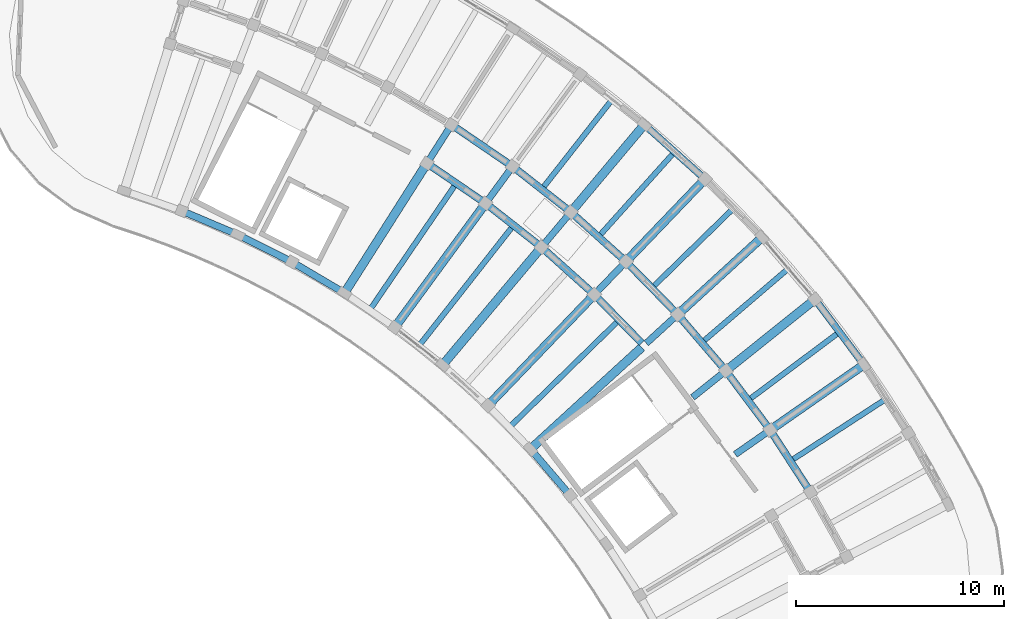
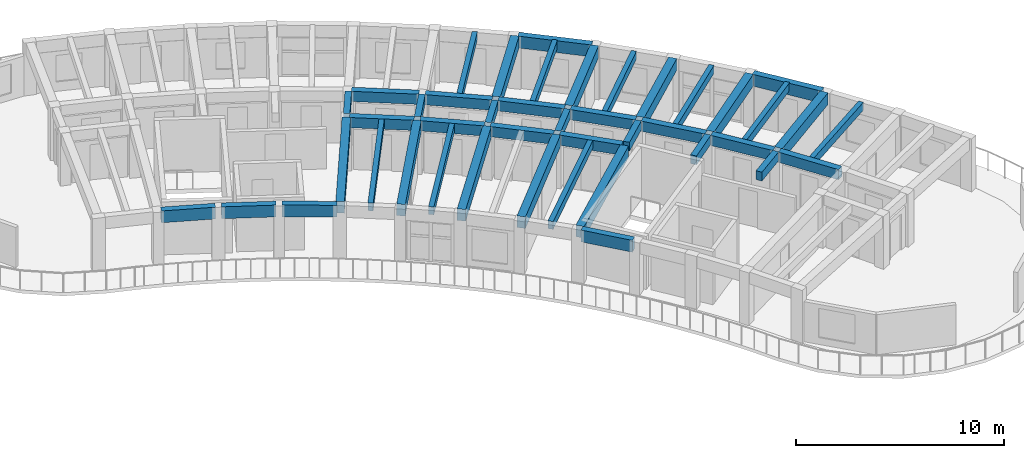
# One storey, part 10 of 32: 43 beams.
"""IFC4 building model written with IfcOpenShell, lengths in metres."""

from ifc_helpers import new_model, si_unit, direction, frame, origin, origin_2d, place, context, subcontext, project, spatial, rectangle, extrude, material, material_profile, profile_set, type_object, element, save


model = new_model("IFC4")

# Units and contexts
model_context = context("Model", 3, precision=1e-05, world=origin(), true_north=direction((0.0, 1.0)))
body_context = subcontext(model_context, "Body", "Model", "MODEL_VIEW")
ifc_project = project(units=[si_unit("LENGTHUNIT", "METRE"), si_unit("AREAUNIT", "SQUARE_METRE"), si_unit("VOLUMEUNIT", "CUBIC_METRE"), si_unit("PLANEANGLEUNIT", "RADIAN"), si_unit("MASSUNIT", "GRAM", prefix="KILO")], contexts=[model_context])

# Site, building, storey
site_placement = place(None, origin())
site = spatial("IfcSite", under=ifc_project, at=site_placement, CompositionType="ELEMENT")
building_placement = place(site_placement, origin())
building = spatial("IfcBuilding", under=site, at=building_placement, Name="Tanwirah Colonnade Gardens", CompositionType="ELEMENT")
storey_placement = place(building_placement, frame((0.0, 0.0, 42.43994140625)))
storey = spatial("IfcBuildingStorey", under=building, at=storey_placement, Name="L12", CompositionType="ELEMENT", Elevation=42.43994140625)

# Beams
ifc_material_1 = material(Name="Precast concrete C40/50", Category="concrete")
ifc_material_profile_1 = material_profile(ifc_material_1, rectangle(XDim=0.320068359375, YDim=0.52001953125, at=origin_2d()), Name="PC-BM 320x520")
ifc_profile_set_1 = profile_set([ifc_material_profile_1], Name="Precast concrete C40/50")
beam_type_1 = type_object("IfcBeamType", Name="BM-PC320", PredefinedType="BEAM", material=ifc_profile_set_1)
for number, where, z_axis, x_axis, name in (
    (1, (163.653564453125, 89.943359375, 2.840087890625), (0.820305001782, 0.571926309983, 0.0), (-0.571926309983, 0.820305001782, 0.0), "Block B L12 Corridor Tie Beam 5"),
    (2, (161.601318359375, 92.68896484375, 2.840087890625), (0.78073089418, 0.624867402633, 0.0), (-0.624867402633, 0.78073089418, 0.0), "Block B L12 Corridor Tie Beam 6"),
    (3, (159.37255859375, 95.29345703125, 2.840087890625), (0.737948361517, 0.674857181732, 0.0), (-0.674857181732, 0.737948361517, 0.0), "Block B L12 Corridor Tie Beam 7"),
):
    element("IfcBeam", number, at=place(storey_placement, frame(where, z_axis=z_axis, x_axis=x_axis)), inside=storey, type_object=beam_type_1, Name=name, PredefinedType="BEAM", context=body_context, shape_type="SweptSolid", body=[
        extrude(rectangle(XDim=0.320068359375, YDim=0.52001953125, at=origin_2d()), origin(), (0.0, 0.0, 1.0), 1.89990234375),
    ])
beam_1_placement = place(storey_placement, frame((156.976806640625, 97.74560546875, 2.840087890625), z_axis=(0.691913735329, 0.721980181766, 0.0), x_axis=(-0.721980181766, 0.691913735329, 0.0)))
element("IfcBeam", 4, at=beam_1_placement, inside=storey, type_object=beam_type_1, Name="Block B L12 Corridor Tie Beam 8", PredefinedType="BEAM", context=body_context, shape_type="SweptSolid", body=[
    extrude(rectangle(XDim=0.320068359375, YDim=0.52001953125, at=origin_2d()), origin(), (0.0, 0.0, 1.0), 1.900146484375),
])
beam_2_placement = place(storey_placement, frame((154.425048828125, 100.034423828125, 2.840087890625), z_axis=(0.642797194343, 0.766036400535, 0.0), x_axis=(-0.766036400535, 0.642797194343, 0.0)))
element("IfcBeam", 5, at=beam_2_placement, inside=storey, type_object=beam_type_1, Name="Block B L12 Corridor Tie Beam 9", PredefinedType="BEAM", context=body_context, shape_type="SweptSolid", body=[
    extrude(rectangle(XDim=0.320068359375, YDim=0.52001953125, at=origin_2d()), origin(), (0.0, 0.0, 1.0), 1.89990234375),
])
beam_3_placement = place(storey_placement, frame((151.727783203125, 102.14990234375, 2.840087890625), z_axis=(0.590895676149, 0.806747977939, 0.0), x_axis=(-0.806747977939, 0.590895676149, 0.0)))
element("IfcBeam", 6, at=beam_3_placement, inside=storey, type_object=beam_type_1, Name="Block B L12 Corridor Tie Beam 10", PredefinedType="BEAM", context=body_context, shape_type="SweptSolid", body=[
    extrude(rectangle(XDim=0.320068359375, YDim=0.52001953125, at=origin_2d()), origin(), (0.0, 0.0, 1.0), 1.900146484375),
])
beam_4_placement = place(storey_placement, frame((148.89697265625, 104.08349609375, 2.840087890625), z_axis=(0.536509579595, 0.843894229749, 0.0), x_axis=(-0.843894229749, 0.536509579595, 0.0)))
element("IfcBeam", 7, at=beam_4_placement, inside=storey, type_object=beam_type_1, Name="Block B L12 Corridor Tie Beam 11", PredefinedType="BEAM", context=body_context, shape_type="SweptSolid", body=[
    extrude(rectangle(XDim=0.320068359375, YDim=0.52001953125, at=origin_2d()), origin(), (0.0, 0.0, 1.0), 1.89990234375),
])
ifc_material_profile_2 = material_profile(ifc_material_1, rectangle(XDim=0.35009765625, YDim=0.60009765625, at=origin_2d()), Name="PC-BM 350x600")
ifc_profile_set_2 = profile_set([ifc_material_profile_2], Name="Precast concrete C40/50")
beam_type_2 = type_object("IfcBeamType", Name="BM-PC350B", PredefinedType="BEAM", material=ifc_profile_set_2)
for number, where, z_axis, x_axis, name in (
    (8, (167.194091796875, 88.25341796875, 2.800048828125), (-0.544627998385, 0.838677735114, 0.0), (-0.838677735114, -0.544627998385, 0.0), "Block B L12 Circumferential Beam 4-R2"),
    (9, (165.245361328125, 91.236083984375, 2.800048828125), (-0.59871829396, 0.800959677186, 0.0), (-0.800959677186, -0.59871829396, 0.0), "Block B L12 Circumferential Beam 5-R2"),
):
    element("IfcBeam", number, at=place(storey_placement, frame(where, z_axis=z_axis, x_axis=x_axis)), inside=storey, type_object=beam_type_2, Name=name, PredefinedType="BEAM", context=body_context, shape_type="SweptSolid", body=[
        extrude(rectangle(XDim=0.35009765625, YDim=0.60009765625, at=origin_2d()), origin(), (0.0, 0.0, 1.0), 3.262939453125),
    ])
beam_5_placement = place(storey_placement, frame((163.1044921875, 94.083740234375, 2.800048828125), z_axis=(-0.650218192342, 0.759747525398, 0.0), x_axis=(-0.759747525398, -0.650218192342, 0.0)))
element("IfcBeam", 10, at=beam_5_placement, inside=storey, type_object=beam_type_2, Name="Block B L12 Circumferential Beam 6-R2", PredefinedType="BEAM", context=body_context, shape_type="SweptSolid", body=[
    extrude(rectangle(XDim=0.35009765625, YDim=0.60009765625, at=origin_2d()), origin(), (0.0, 0.0, 1.0), 3.26318359375),
])
beam_6_placement = place(storey_placement, frame((159.156982421875, 95.299560546875, 2.800048828125), z_axis=(-0.698837366631, 0.715280598787, 0.0), x_axis=(-0.715280598787, -0.698837366631, 0.0)))
element("IfcBeam", 11, at=beam_6_placement, inside=storey, type_object=beam_type_2, Name="Block B L12 Circumferential Beam 7-R1", PredefinedType="BEAM", context=body_context, shape_type="SweptSolid", body=[
    extrude(rectangle(XDim=0.35009765625, YDim=0.60009765625, at=origin_2d()), origin(), (0.0, 0.0, 1.0), 3.117919921875),
])
beam_7_placement = place(storey_placement, frame((160.780517578125, 96.7841796875, 2.800048828125), z_axis=(-0.698829447339, 0.71528833594, 0.0), x_axis=(-0.71528833594, -0.698829447339, 0.0)))
element("IfcBeam", 12, at=beam_7_placement, inside=storey, type_object=beam_type_2, Name="Block B L12 Circumferential Beam 7-R2", PredefinedType="BEAM", context=body_context, shape_type="SweptSolid", body=[
    extrude(rectangle(XDim=0.35009765625, YDim=0.60009765625, at=origin_2d()), origin(), (0.0, 0.0, 1.0), 3.263427734375),
])
beam_8_placement = place(storey_placement, frame((156.761474609375, 97.7373046875, 2.800048828125), z_axis=(-0.744429866059, 0.667700662363, 0.0), x_axis=(-0.667700662363, -0.744429866059, 0.0)))
element("IfcBeam", 13, at=beam_8_placement, inside=storey, type_object=beam_type_2, Name="Block B L12 Circumferential Beam 8-R1", PredefinedType="BEAM", context=body_context, shape_type="SweptSolid", body=[
    extrude(rectangle(XDim=0.35009765625, YDim=0.60009765625, at=origin_2d()), origin(), (0.0, 0.0, 1.0), 3.1181640625),
])
beam_9_placement = place(storey_placement, frame((158.283447265625, 99.32568359375, 2.800048828125), z_axis=(-0.744409136578, 0.667723773262, 0.0), x_axis=(-0.667723773262, -0.744409136578, 0.0)))
element("IfcBeam", 14, at=beam_9_placement, inside=storey, type_object=beam_type_2, Name="Block B L12 Circumferential Beam 8-R2", PredefinedType="BEAM", context=body_context, shape_type="SweptSolid", body=[
    extrude(rectangle(XDim=0.35009765625, YDim=0.60009765625, at=origin_2d()), origin(), (0.0, 0.0, 1.0), 3.26318359375),
])
beam_10_placement = place(storey_placement, frame((154.21044921875, 100.011962890625, 2.800048828125), z_axis=(-0.78679899272, 0.617209320292, 0.0), x_axis=(-0.617209320292, -0.78679899272, 0.0)))
element("IfcBeam", 15, at=beam_10_placement, inside=storey, type_object=beam_type_2, Name="Block B L12 Circumferential Beam 9-R1", PredefinedType="BEAM", context=body_context, shape_type="SweptSolid", body=[
    extrude(rectangle(XDim=0.35009765625, YDim=0.60009765625, at=origin_2d()), origin(), (0.0, 0.0, 1.0), 3.1181640625),
])
beam_11_placement = place(storey_placement, frame((155.624755859375, 101.697265625, 2.800048828125), z_axis=(-0.786839882256, 0.617157192044, 0.0), x_axis=(-0.617157192044, -0.786839882256, 0.0)))
element("IfcBeam", 16, at=beam_11_placement, inside=storey, type_object=beam_type_2, Name="Block B L12 Circumferential Beam 9-R2", PredefinedType="BEAM", context=body_context, shape_type="SweptSolid", body=[
    extrude(rectangle(XDim=0.35009765625, YDim=0.60009765625, at=origin_2d()), origin(), (0.0, 0.0, 1.0), 3.26318359375),
])
beam_12_placement = place(storey_placement, frame((151.515380859375, 102.113525390625, 2.800048828125), z_axis=(-0.825758291455, 0.564024152047, 0.0), x_axis=(-0.564024152047, -0.825758291455, 0.0)))
element("IfcBeam", 17, at=beam_12_placement, inside=storey, type_object=beam_type_2, Name="Block B L12 Circumferential Beam 10-R1", PredefinedType="BEAM", context=body_context, shape_type="SweptSolid", body=[
    extrude(rectangle(XDim=0.35009765625, YDim=0.60009765625, at=origin_2d()), origin(), (0.0, 0.0, 1.0), 3.118408203125),
])
beam_13_placement = place(storey_placement, frame((152.815185546875, 103.888427734375, 2.800048828125), z_axis=(-0.825782284145, 0.563989024, 0.0), x_axis=(-0.563989024, -0.825782284145, 0.0)))
element("IfcBeam", 18, at=beam_13_placement, inside=storey, type_object=beam_type_2, Name="Block B L12 Circumferential Beam 10-R2", PredefinedType="BEAM", context=body_context, shape_type="SweptSolid", body=[
    extrude(rectangle(XDim=0.35009765625, YDim=0.60009765625, at=origin_2d()), origin(), (0.0, 0.0, 1.0), 3.26318359375),
])
ifc_material_2 = material(Name="Precast concrete C45/55", Category="concrete")
ifc_material_profile_3 = material_profile(ifc_material_2, rectangle(XDim=0.419921875, YDim=0.679931640625, at=origin_2d()), Name="PC-BM 420x680")
ifc_profile_set_3 = profile_set([ifc_material_profile_3], Name="Precast concrete C45/55")
beam_type_3 = type_object("IfcBeamType", Name="BM-PC420", PredefinedType="BEAM", material=ifc_profile_set_3)
for number, where, z_axis, x_axis, name in (
    (19, (165.458251953125, 91.20166015625, 2.760009765625), (0.82026065953, 0.57198990413, 0.0), (-0.57198990413, 0.82026065953, 0.0), "Block B L12 Outer Radial Precast Girder 5"),
    (20, (163.319091796875, 94.0634765625, 2.760009765625), (0.780777191444, 0.62480955284, 0.0), (-0.62480955284, 0.780777191444, 0.0), "Block B L12 Outer Radial Precast Girder 6"),
):
    element("IfcBeam", number, at=place(storey_placement, frame(where, z_axis=z_axis, x_axis=x_axis)), inside=storey, type_object=beam_type_3, Name=name, PredefinedType="BEAM", context=body_context, shape_type="SweptSolid", body=[
        extrude(rectangle(XDim=0.419921875, YDim=0.679931640625, at=origin_2d()), origin(), (0.0, 0.0, 1.0), 5.199951171875),
    ])
beam_14_placement = place(storey_placement, frame((159.151123046875, 95.091064453125, 2.760009765625), z_axis=(-0.737918718777, -0.674889594288, 0.0), x_axis=(0.674889594288, -0.737918718777, 0.0)))
element("IfcBeam", 21, at=beam_14_placement, inside=storey, type_object=beam_type_3, Name="Block B L12 Inner Radial Precast Girder 7", PredefinedType="BEAM", context=body_context, shape_type="SweptSolid", body=[
    extrude(rectangle(XDim=0.419921875, YDim=0.679931640625, at=origin_2d()), origin(), (0.0, 0.0, 1.0), 7.10009765625),
])
beam_15_placement = place(storey_placement, frame((160.995849609375, 96.7783203125, 2.760009765625), z_axis=(0.737952652624, 0.674852489427, 0.0), x_axis=(-0.674852489427, 0.737952652624, 0.0)))
element("IfcBeam", 22, at=beam_15_placement, inside=storey, type_object=beam_type_3, Name="Block B L12 Outer Radial Precast Girder 7", PredefinedType="BEAM", context=body_context, shape_type="SweptSolid", body=[
    extrude(rectangle(XDim=0.419921875, YDim=0.679931640625, at=origin_2d()), origin(), (0.0, 0.0, 1.0), 5.199951171875),
])
beam_16_placement = place(storey_placement, frame((156.769287109375, 97.52880859375, 2.760009765625), z_axis=(-0.691867272012, -0.722024707278, 0.0), x_axis=(0.722024707278, -0.691867272012, 0.0)))
element("IfcBeam", 23, at=beam_16_placement, inside=storey, type_object=beam_type_3, Name="Block B L12 Inner Radial Precast Girder 8", PredefinedType="BEAM", context=body_context, shape_type="SweptSolid", body=[
    extrude(rectangle(XDim=0.419921875, YDim=0.679931640625, at=origin_2d()), origin(), (0.0, 0.0, 1.0), 7.099853515625),
])
beam_17_placement = place(storey_placement, frame((158.4990234375, 99.333984375, 2.760009765625), z_axis=(0.69185131599, 0.722039996512, 0.0), x_axis=(-0.722039996512, 0.69185131599, 0.0)))
element("IfcBeam", 24, at=beam_17_placement, inside=storey, type_object=beam_type_3, Name="Block B L12 Outer Radial Precast Girder 8", PredefinedType="BEAM", context=body_context, shape_type="SweptSolid", body=[
    extrude(rectangle(XDim=0.419921875, YDim=0.679931640625, at=origin_2d()), origin(), (0.0, 0.0, 1.0), 5.199951171875),
])
beam_18_placement = place(storey_placement, frame((154.232177734375, 99.804443359375, 2.760009765625), z_axis=(-0.642798473853, -0.76603532687, 0.0), x_axis=(0.76603532687, -0.642798473853, 0.0)))
element("IfcBeam", 25, at=beam_18_placement, inside=storey, type_object=beam_type_3, Name="Block B L12 Inner Radial Precast Girder 9", PredefinedType="BEAM", context=body_context, shape_type="SweptSolid", body=[
    extrude(rectangle(XDim=0.419921875, YDim=0.679931640625, at=origin_2d()), origin(), (0.0, 0.0, 1.0), 7.10009765625),
])
beam_19_placement = place(storey_placement, frame((155.839111328125, 101.7197265625, 2.760009765625), z_axis=(0.642794509039, 0.766038653822, 0.0), x_axis=(-0.766038653822, 0.642794509039, 0.0)))
element("IfcBeam", 26, at=beam_19_placement, inside=storey, type_object=beam_type_3, Name="Block B L12 Outer Radial Precast Girder 9", PredefinedType="BEAM", context=body_context, shape_type="SweptSolid", body=[
    extrude(rectangle(XDim=0.419921875, YDim=0.679931640625, at=origin_2d()), origin(), (0.0, 0.0, 1.0), 5.199951171875),
])
for number, where, z_axis, x_axis, name in (
    (27, (151.550537109375, 101.907958984375, 2.760009765625), (-0.590922322036, -0.80672846071, 0.0), (0.80672846071, -0.590922322036, 0.0), "Block B L12 Inner Radial Precast Girder 10"),
    (28, (148.736083984375, 103.830322265625, 2.760009765625), (-0.536477171385, -0.843914832541, 0.0), (0.843914832541, -0.536477171385, 0.0), "Block B L12 Inner Radial Precast Girder 11"),
):
    element("IfcBeam", number, at=place(storey_placement, frame(where, z_axis=z_axis, x_axis=x_axis)), inside=storey, type_object=beam_type_3, Name=name, PredefinedType="BEAM", context=body_context, shape_type="SweptSolid", body=[
        extrude(rectangle(XDim=0.419921875, YDim=0.679931640625, at=origin_2d()), origin(), (0.0, 0.0, 1.0), 7.10009765625),
    ])
ifc_material_profile_4 = material_profile(ifc_material_1, rectangle(XDim=0.260009765625, YDim=0.4599609375, at=origin_2d()), Name="PC-JST 260x460")
ifc_profile_set_4 = profile_set([ifc_material_profile_4], Name="Precast concrete C40/50")
beam_type_4 = type_object("IfcBeamType", Name="JST-PC260", PredefinedType="JOIST", material=ifc_profile_set_4)
beam_20_placement = place(storey_placement, frame((166.4306640625, 89.703125, 2.8701171875), z_axis=(0.83868742622, 0.544613074669, 0.0), x_axis=(-0.544613074669, 0.83868742622, 0.0)))
element("IfcBeam", 29, at=beam_20_placement, inside=storey, type_object=beam_type_4, Name="Block B L12 Precast Floor Joist 4", PredefinedType="JOIST", context=body_context, shape_type="SweptSolid", body=[
    extrude(rectangle(XDim=0.260009765625, YDim=0.4599609375, at=origin_2d()), origin(), (0.0, 0.0, 1.0), 5.26025390625),
])
beam_21_placement = place(storey_placement, frame((164.38818359375, 92.63232421875, 2.8701171875), z_axis=(0.800973647215, 0.598699604533, 0.0), x_axis=(-0.598699604533, 0.800973647215, 0.0)))
element("IfcBeam", 30, at=beam_21_placement, inside=storey, type_object=beam_type_4, Name="Block B L12 Precast Floor Joist 5", PredefinedType="JOIST", context=body_context, shape_type="SweptSolid", body=[
    extrude(rectangle(XDim=0.260009765625, YDim=0.4599609375, at=origin_2d()), origin(), (0.0, 0.0, 1.0), 5.260009765625),
])
beam_22_placement = place(storey_placement, frame((162.156982421875, 95.42041015625, 2.8701171875), z_axis=(0.759770723643, 0.65019108537, 0.0), x_axis=(-0.65019108537, 0.759770723643, 0.0)))
element("IfcBeam", 31, at=beam_22_placement, inside=storey, type_object=beam_type_4, Name="Block B L12 Precast Floor Joist 6", PredefinedType="JOIST", context=body_context, shape_type="SweptSolid", body=[
    extrude(rectangle(XDim=0.260009765625, YDim=0.4599609375, at=origin_2d()), origin(), (0.0, 0.0, 1.0), 5.26025390625),
])
beam_23_placement = place(storey_placement, frame((159.7470703125, 98.0556640625, 2.8701171875), z_axis=(0.715297399369, 0.698820170327, 0.0), x_axis=(-0.698820170327, 0.715297399369, 0.0)))
element("IfcBeam", 32, at=beam_23_placement, inside=storey, type_object=beam_type_4, Name="Block B L12 Precast Floor Joist 7", PredefinedType="JOIST", context=body_context, shape_type="SweptSolid", body=[
    extrude(rectangle(XDim=0.260009765625, YDim=0.4599609375, at=origin_2d()), origin(), (0.0, 0.0, 1.0), 5.260009765625),
])
beam_24_placement = place(storey_placement, frame((152.88037109375, 91.346923828125, 2.8701171875), z_axis=(0.715276680509, 0.698841377081, 0.0), x_axis=(-0.698841377081, 0.715276680509, 0.0)))
element("IfcBeam", 33, at=beam_24_placement, inside=storey, type_object=beam_type_4, Name="Block B L12 Inner Precast Floor Joist 7", PredefinedType="JOIST", context=body_context, shape_type="SweptSolid", body=[
    extrude(rectangle(XDim=0.260009765625, YDim=0.4599609375, at=origin_2d()), origin(), (0.0, 0.0, 1.0), 7.159912109375),
])
for number, where, z_axis, x_axis, name in (
    (34, (157.168701171875, 100.5263671875, 2.8701171875), (0.667678987176, 0.744449306591, 0.0), (-0.744449306591, 0.667678987176, 0.0), "Block B L12 Precast Floor Joist 8"),
    (35, (154.43310546875, 102.82177734375, 2.8701171875), (0.617177687243, 0.786823806433, 0.0), (-0.786823806433, 0.617177687243, 0.0), "Block B L12 Precast Floor Joist 9"),
):
    element("IfcBeam", number, at=place(storey_placement, frame(where, z_axis=z_axis, x_axis=x_axis)), inside=storey, type_object=beam_type_4, Name=name, PredefinedType="JOIST", context=body_context, shape_type="SweptSolid", body=[
        extrude(rectangle(XDim=0.260009765625, YDim=0.4599609375, at=origin_2d()), origin(), (0.0, 0.0, 1.0), 5.260009765625),
    ])
for number, where, z_axis, x_axis, name in (
    (36, (148.508056640625, 95.268310546875, 2.8701171875), (0.617202438917, 0.786804390808, 0.0), (-0.786804390808, 0.617202438917, 0.0), "Block B L12 Inner Precast Floor Joist 9"),
    (37, (146.1376953125, 97.004638671875, 2.8701171875), (0.564021195806, 0.825760310672, 0.0), (-0.825760310672, 0.564021195806, 0.0), "Block B L12 Inner Precast Floor Joist 10"),
):
    element("IfcBeam", number, at=place(storey_placement, frame(where, z_axis=z_axis, x_axis=x_axis)), inside=storey, type_object=beam_type_4, Name=name, PredefinedType="JOIST", context=body_context, shape_type="SweptSolid", body=[
        extrude(rectangle(XDim=0.260009765625, YDim=0.4599609375, at=origin_2d()), origin(), (0.0, 0.0, 1.0), 7.159912109375),
    ])
ifc_material_profile_5 = material_profile(ifc_material_1, rectangle(XDim=0.3349609375, YDim=0.695068359375, at=origin_2d()), Name="PC-SP 335x695")
ifc_profile_set_5 = profile_set([ifc_material_profile_5], Name="Precast concrete C40/50")
beam_type_5 = type_object("IfcBeamType", Name="SP-PC300", PredefinedType="SPANDREL", material=ifc_profile_set_5)
beam_25_placement = place(storey_placement, frame((169.7568359375, 94.382080078125, 2.75244140625), z_axis=(-0.598695554058, 0.800976674786, 0.0), x_axis=(-0.800976674786, -0.598695554058, 0.0)))
element("IfcBeam", 38, at=beam_25_placement, inside=storey, type_object=beam_type_5, Name="Block B L12 Circumferential Beam 5-R3", PredefinedType="SPANDREL", context=body_context, shape_type="SweptSolid", body=[
    extrude(rectangle(XDim=0.3349609375, YDim=0.695068359375, at=origin_2d()), origin(), (0.0, 0.0, 1.0), 3.625732421875),
])
beam_26_placement = place(storey_placement, frame((155.60888671875, 88.0859375, 2.75244140625), z_axis=(-0.650217875778, 0.759747796323, 0.0), x_axis=(-0.759747796323, -0.650217875778, 0.0)))
element("IfcBeam", 39, at=beam_26_placement, inside=storey, type_object=beam_type_5, Name="Block B L12 Circumferential Beam 6-R0", PredefinedType="SPANDREL", context=body_context, shape_type="SweptSolid", body=[
    extrude(rectangle(XDim=0.3349609375, YDim=0.695068359375, at=origin_2d()), origin(), (0.0, 0.0, 1.0), 2.630126953125),
])
beam_27_placement = place(storey_placement, frame((162.0888671875, 103.296875, 2.75244140625), z_axis=(-0.744444790955, 0.667684021989, 0.0), x_axis=(-0.667684021989, -0.744444790955, 0.0)))
element("IfcBeam", 40, at=beam_27_placement, inside=storey, type_object=beam_type_5, Name="Block B L12 Circumferential Beam 8-R3", PredefinedType="SPANDREL", context=body_context, shape_type="SweptSolid", body=[
    extrude(rectangle(XDim=0.3349609375, YDim=0.695068359375, at=origin_2d()), origin(), (0.0, 0.0, 1.0), 3.625732421875),
])
for number, where, z_axis, x_axis, name in (
    (41, (144.717529296875, 97.7880859375, 2.75244140625), (-0.861148181788, 0.508354019363, 0.0), (-0.508354019363, -0.861148181788, 0.0), "Block B L12 Circumferential Beam 11-R0"),
    (42, (142.189453125, 99.26904296875, 2.75244140625), (-0.892769015158, 0.450514689632, 0.0), (-0.450514689632, -0.892769015158, 0.0), "Block B L12 Circumferential Beam 12-R0"),
    (43, (139.569091796875, 100.580322265625, 2.75244140625), (-0.920488719784, 0.390769134848, 0.0), (-0.390769134848, -0.920488719784, 0.0), "Block B L12 Circumferential Beam 13-R0"),
):
    element("IfcBeam", number, at=place(storey_placement, frame(where, z_axis=z_axis, x_axis=x_axis)), inside=storey, type_object=beam_type_5, Name=name, PredefinedType="SPANDREL", context=body_context, shape_type="SweptSolid", body=[
        extrude(rectangle(XDim=0.3349609375, YDim=0.695068359375, at=origin_2d()), origin(), (0.0, 0.0, 1.0), 2.63037109375),
    ])

save(model, "model.ifc")
